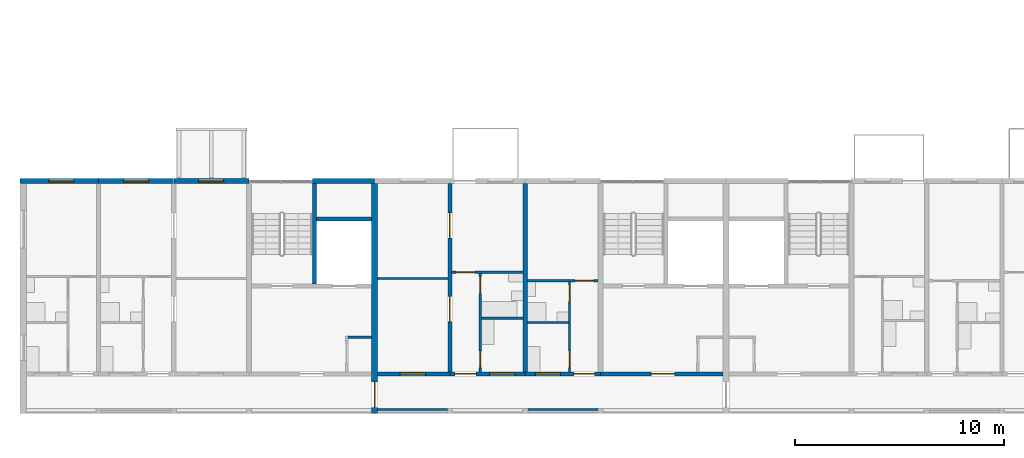
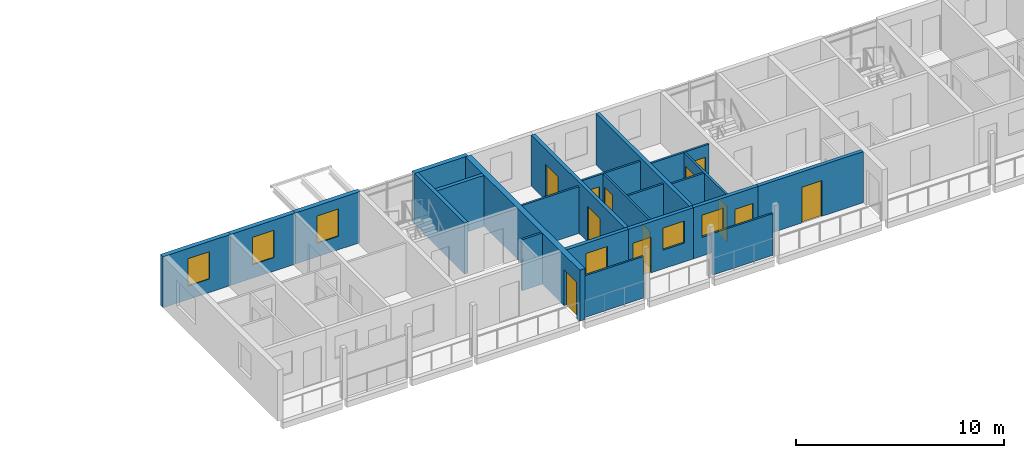
# One storey, part 37 of 87: 23 walls, 12 doors, 6 windows, 18 openings.
"""IFC4 building model written with IfcOpenShell, lengths in metres."""

from ifc_helpers import new_model, si_unit, direction, frame, frame_2d, origin, place, context, subcontext, project, spatial, rectangle, extrude, material, layer, layer_set, type_object, element, fill, save


model = new_model("IFC4")

# Units and contexts
model_context = context("Model", 3, precision=1e-05, world=origin(), true_north=direction((0.0, 1.0)))
body_context = subcontext(model_context, "Body", "Model", "MODEL_VIEW")
ifc_project = project(units=[si_unit("LENGTHUNIT", "METRE"), si_unit("AREAUNIT", "SQUARE_METRE"), si_unit("VOLUMEUNIT", "CUBIC_METRE"), si_unit("PLANEANGLEUNIT", "RADIAN"), si_unit("MASSUNIT", "GRAM", prefix="KILO")], contexts=[model_context])

# Site, building, storey
site_placement = place(None, origin())
site = spatial("IfcSite", under=ifc_project, at=site_placement, CompositionType="ELEMENT")
building_placement = place(site_placement, origin())
building = spatial("IfcBuilding", under=site, at=building_placement, Name="Ridgestep Commons", CompositionType="ELEMENT")
storey_placement = place(building_placement, frame((0.0, 0.0, 27.0)))
storey = spatial("IfcBuildingStorey", under=building, at=storey_placement, Name="L09", CompositionType="ELEMENT", Elevation=27.0)

# Wall, opening, door
ifc_material_1 = material(Name="Concrete C30/37", Category="concrete")
ifc_layer_1 = layer(ifc_material_1, 0.199951171875)
ifc_layer_set_1 = layer_set([ifc_layer_1], Name="Core south wall 200")
wall_type_1 = type_object("IfcWallType", Name="Core south wall 200", PredefinedType="SHEAR", material=ifc_layer_set_1)
wall_1_placement = place(storey_placement, frame((39.60009765625, 13.64990234375, 0.0), z_axis=(0.0, 0.0, 1.0), x_axis=(1.0, 0.0, 0.0)))
wall_1 = element("IfcWall", 1, at=wall_1_placement, inside=storey, type_object=wall_type_1, Name="Core south wall A2C L09", PredefinedType="SHEAR", context=body_context, shape_type="SweptSolid", body=[
    extrude(rectangle(XDim=5.849853515625, YDim=0.199951171875, at=frame_2d((2.9248046875, 0.0))), origin(), (0.0, 0.0, 1.0), 3.0),
])
opening_1_placement = place(wall_1_placement, frame((2.4375, 0.0, 0.0)))
opening_1 = element("IfcOpeningElement", 2, at=opening_1_placement, cuts=wall_1, Name="Opening A2C/09/1", PredefinedType="OPENING", context=body_context, shape_type="SweptSolid", body=[
    extrude(rectangle(XDim=1.10009765625, YDim=2.10009765625, at=frame_2d((0.550048828125, 1.050048828125))), frame((0.0, 0.10986328125, 0.0), z_axis=(0.0, -1.0, 0.0), x_axis=(1.0, 0.0, 0.0)), (0.0, 0.0, 1.0), 0.219970703125),
])
ifc_material_2 = material(Name="Steel fire door", Category="steel")
door_type_1 = type_object("IfcDoorType", Name="Lobby door 1100 x 2100 FD60", OperationType="NOTDEFINED", PredefinedType="DOOR", material=ifc_material_2)
door_1_placement = place(opening_1_placement, origin())
door_1 = element("IfcDoor", 3, at=door_1_placement, inside=storey, type_object=door_type_1, Name="Lobby door A2C/09/1", OperationType="SINGLE_SWING_LEFT", OverallHeight=2.10009765625, OverallWidth=1.10009765625, PredefinedType="DOOR", context=body_context, shape_type="SweptSolid", body=[
    extrude(rectangle(XDim=1.10009765625, YDim=2.10009765625, at=frame_2d((0.550048828125, 1.050048828125))), frame((0.0, 0.02490234375, 0.0), z_axis=(0.0, -1.0, 0.0), x_axis=(1.0, 0.0, 0.0)), (0.0, 0.0, 1.0), 0.050048828125),
])
fill(opening_1, door_1)

# Walls
ifc_material_3 = material(Name="Concrete C30/37", Category="concrete")
ifc_layer_2 = layer(ifc_material_3, 0.1201171875)
ifc_layer_set_2 = layer_set([ifc_layer_2], Name="Core wall 120")
wall_type_2 = type_object("IfcWallType", Name="Core wall 120", PredefinedType="SHEAR", material=ifc_layer_set_2)
wall_2_placement = place(storey_placement, frame((27.52001953125, 15.409912109375, 0.0), z_axis=(0.0, 0.0, 1.0), x_axis=(1.0, 0.0, 0.0)))
element("IfcWall", 4, at=wall_2_placement, inside=storey, type_object=wall_type_2, Name="Core riser n wall A1C L09", PredefinedType="SHEAR", context=body_context, shape_type="SweptSolid", body=[
    extrude(rectangle(XDim=1.1298828125, YDim=0.1201171875, at=frame_2d((0.56494140625, 0.0))), origin(), (0.0, 0.0, 1.0), 3.0),
])
ifc_material_4 = material(Name="Concrete C30/37", Category="concrete")
ifc_layer_3 = layer(ifc_material_4, 0.199951171875)
ifc_layer_set_3 = layer_set([ifc_layer_3], Name="Core wall 200")
wall_type_3 = type_object("IfcWallType", Name="Core wall 200", PredefinedType="SHEAR", material=ifc_layer_set_3)
wall_3_placement = place(storey_placement, frame((25.925048828125, 17.949951171875, 0.0), z_axis=(0.0, 0.0, 1.0), x_axis=(0.0, 1.0, 0.0)))
element("IfcWall", 5, at=wall_3_placement, inside=storey, type_object=wall_type_3, Name="Core stair wall A1C L09", PredefinedType="SHEAR", context=body_context, shape_type="SweptSolid", body=[
    extrude(rectangle(XDim=4.800048828125, YDim=0.199951171875, at=frame_2d((2.39990234375, 0.0))), origin(), (0.0, 0.0, 1.0), 3.0),
])
wall_4_placement = place(storey_placement, frame((26.02490234375, 21.050048828125, 0.0), z_axis=(0.0, 0.0, 1.0), x_axis=(1.0, 0.0, 0.0)))
element("IfcWall", 6, at=wall_4_placement, inside=storey, type_object=wall_type_3, Name="Core duct wall A1C L09", PredefinedType="SHEAR", context=body_context, shape_type="SweptSolid", body=[
    extrude(rectangle(XDim=2.625, YDim=0.199951171875, at=frame_2d((1.3125, 0.0))), origin(), (0.0, 0.0, 1.0), 3.0),
])

# Wall, openings, doors
ifc_material_5 = material(Name="Precast concrete C40/50", Category="concrete")
ifc_layer_4 = layer(ifc_material_5, 0.199951171875)
ifc_layer_set_4 = layer_set([ifc_layer_4], Name="Cross wall 200")
wall_type_4 = type_object("IfcWallType", Name="Cross wall 200", PredefinedType="SHEAR", material=ifc_layer_set_4)
wall_5_placement = place(storey_placement, frame((32.39990234375, 13.75, 0.0), z_axis=(0.0, 0.0, 1.0), x_axis=(0.0, 1.0, 0.0)))
wall_5 = element("IfcWall", 7, at=wall_5_placement, inside=storey, type_object=wall_type_4, Name="Cross wall A-09-0324", PredefinedType="SHEAR", context=body_context, shape_type="SweptSolid", body=[
    extrude(rectangle(XDim=9.0, YDim=0.199951171875, at=frame_2d((4.5, 0.0))), origin(), (0.0, 0.0, 1.0), 3.0),
])
opening_2_placement = place(wall_5_placement, frame((2.39990234375, 0.0, 0.0)))
opening_2 = element("IfcOpeningElement", 8, at=opening_2_placement, cuts=wall_5, Name="Opening A2-09a/5", PredefinedType="OPENING", context=body_context, shape_type="SweptSolid", body=[
    extrude(rectangle(XDim=1.199951171875, YDim=2.10009765625, at=frame_2d((0.60009765625, 1.050048828125))), frame((0.0, 0.10986328125, 0.0), z_axis=(0.0, -1.0, 0.0), x_axis=(1.0, 0.0, 0.0)), (0.0, 0.0, 1.0), 0.219970703125),
])
opening_3_placement = place(wall_5_placement, frame((6.39990234375, 0.0, 0.0)))
opening_3 = element("IfcOpeningElement", 9, at=opening_3_placement, cuts=wall_5, Name="Opening A2-09a/6", PredefinedType="OPENING", context=body_context, shape_type="SweptSolid", body=[
    extrude(rectangle(XDim=1.199951171875, YDim=2.10009765625, at=frame_2d((0.60009765625, 1.050048828125))), frame((0.0, 0.10986328125, 0.0), z_axis=(0.0, -1.0, 0.0), x_axis=(1.0, 0.0, 0.0)), (0.0, 0.0, 1.0), 0.219970703125),
])
ifc_material_6 = material(Name="Timber door leaf", Category="wood")
door_type_2 = type_object("IfcDoorType", Name="Double door 1200 x 2100", OperationType="DOUBLE_DOOR_SINGLE_SWING", PredefinedType="DOOR", material=ifc_material_6)
door_2_placement = place(opening_2_placement, origin())
door_2 = element("IfcDoor", 10, at=door_2_placement, inside=storey, type_object=door_type_2, Name="Double door A2-09a/5", OperationType="DOUBLE_DOOR_SINGLE_SWING", OverallHeight=2.10009765625, OverallWidth=1.199951171875, PredefinedType="DOOR", context=body_context, shape_type="SweptSolid", body=[
    extrude(rectangle(XDim=1.199951171875, YDim=2.10009765625, at=frame_2d((0.60009765625, 1.050048828125))), frame((0.0, 0.02490234375, 0.0), z_axis=(0.0, -1.0, 0.0), x_axis=(1.0, 0.0, 0.0)), (0.0, 0.0, 1.0), 0.050048828125),
])
fill(opening_2, door_2)
door_3_placement = place(opening_3_placement, origin())
door_3 = element("IfcDoor", 11, at=door_3_placement, inside=storey, type_object=door_type_2, Name="Double door A2-09a/6", OperationType="DOUBLE_DOOR_SINGLE_SWING", OverallHeight=2.10009765625, OverallWidth=1.199951171875, PredefinedType="DOOR", context=body_context, shape_type="SweptSolid", body=[
    extrude(rectangle(XDim=1.199951171875, YDim=2.10009765625, at=frame_2d((0.60009765625, 1.050048828125))), frame((0.0, 0.02490234375, 0.0), z_axis=(0.0, -1.0, 0.0), x_axis=(1.0, 0.0, 0.0)), (0.0, 0.0, 1.0), 0.050048828125),
])
fill(opening_3, door_3)

# Wall
wall_6_placement = place(storey_placement, frame((36.0, 13.75, 0.0), z_axis=(0.0, 0.0, 1.0), x_axis=(0.0, 1.0, 0.0)))
element("IfcWall", 12, at=wall_6_placement, inside=storey, type_object=wall_type_4, Name="Cross wall A-09-0360", PredefinedType="SHEAR", context=body_context, shape_type="SweptSolid", body=[
    extrude(rectangle(XDim=9.0, YDim=0.199951171875, at=frame_2d((4.5, 0.0))), origin(), (0.0, 0.0, 1.0), 3.0),
])

# Wall, opening, door
ifc_material_7 = material(Name="Precast concrete C40/50", Category="concrete")
ifc_layer_5 = layer(ifc_material_7, 0.300048828125)
ifc_layer_set_5 = layer_set([ifc_layer_5], Name="Division wall 300")
wall_type_5 = type_object("IfcWallType", Name="Division wall 300", PredefinedType="SHEAR", material=ifc_layer_set_5)
wall_7_placement = place(storey_placement, frame((28.800048828125, 11.75, 0.0), z_axis=(0.0, 0.0, 1.0), x_axis=(0.0, 1.0, 0.0)))
wall_7 = element("IfcWall", 13, at=wall_7_placement, inside=storey, type_object=wall_type_5, Name="Cross wall A-09-0288", PredefinedType="SHEAR", context=body_context, shape_type="SweptSolid", body=[
    extrude(rectangle(XDim=11.0, YDim=0.300048828125, at=frame_2d((5.5, 0.0))), origin(), (0.0, 0.0, 1.0), 3.0),
])
opening_4_placement = place(wall_7_placement, frame((0.300048828125, 0.0, 0.0)))
opening_4 = element("IfcOpeningElement", 14, at=opening_4_placement, cuts=wall_7, Name="Opening A/09/G0288", PredefinedType="OPENING", context=body_context, shape_type="SweptSolid", body=[
    extrude(rectangle(XDim=1.199951171875, YDim=2.10009765625, at=frame_2d((0.60009765625, 1.050048828125))), frame((0.0, 0.159912109375, 0.0), z_axis=(0.0, -1.0, 0.0), x_axis=(1.0, 0.0, 0.0)), (0.0, 0.0, 1.0), 0.320068359375),
])
ifc_material_8 = material(Name="Steel fire door", Category="steel")
door_type_3 = type_object("IfcDoorType", Name="Division fire door 1200 x 2100 EI 240", OperationType="DOUBLE_DOOR_SINGLE_SWING", PredefinedType="DOOR", material=ifc_material_8)
door_4_placement = place(opening_4_placement, origin())
door_4 = element("IfcDoor", 15, at=door_4_placement, inside=storey, type_object=door_type_3, Name="Division fire door A/09/G0288", OperationType="DOUBLE_DOOR_SINGLE_SWING", OverallHeight=2.10009765625, OverallWidth=1.199951171875, PredefinedType="DOOR", context=body_context, shape_type="SweptSolid", body=[
    extrude(rectangle(XDim=1.199951171875, YDim=2.10009765625, at=frame_2d((0.60009765625, 1.050048828125))), frame((0.0, 0.02490234375, 0.0), z_axis=(0.0, -1.0, 0.0), x_axis=(1.0, 0.0, 0.0)), (0.0, 0.0, 1.0), 0.050048828125),
])
fill(opening_4, door_4)

# Wall, opening, window
ifc_material_9 = material(Name="Precast concrete C40/50", Category="concrete")
ifc_layer_6 = layer(ifc_material_9, 0.25)
ifc_layer_set_6 = layer_set([ifc_layer_6], Name="North facade panel 250")
wall_type_6 = type_object("IfcWallType", Name="North facade panel 250", PredefinedType="SOLIDWALL", material=ifc_layer_set_6)
wall_8_placement = place(storey_placement, frame((11.85009765625, 22.875, 0.0), z_axis=(0.0, 0.0, 1.0), x_axis=(1.0, 0.0, 0.0)))
wall_8 = element("IfcWall", 16, at=wall_8_placement, inside=storey, type_object=wall_type_6, Name="North panel A1T1 L09", PredefinedType="SOLIDWALL", context=body_context, shape_type="SweptSolid", body=[
    extrude(rectangle(XDim=3.75, YDim=0.25, at=frame_2d((1.875, 0.0))), origin(), (0.0, 0.0, 1.0), 3.0),
])
opening_5_placement = place(wall_8_placement, frame((1.375, 0.0, 0.800048828125)))
opening_5 = element("IfcOpeningElement", 17, at=opening_5_placement, cuts=wall_8, Name="Opening W11", PredefinedType="OPENING", context=body_context, shape_type="SweptSolid", body=[
    extrude(rectangle(XDim=1.199951171875, YDim=1.60009765625, at=frame_2d((0.60009765625, 0.800048828125))), frame((0.0, 0.135009765625, 0.0), z_axis=(0.0, -1.0, 0.0), x_axis=(1.0, 0.0, 0.0)), (0.0, 0.0, 1.0), 0.27001953125),
])
ifc_material_10 = material(Name="Aluminium 6063-T6 and glass", Category="aluminium")
window_type_1 = type_object("IfcWindowType", Name="Flat window 1200 x 1600", PartitioningType="SINGLE_PANEL", PredefinedType="WINDOW", material=ifc_material_10)
window_1_placement = place(opening_5_placement, origin())
window_1 = element("IfcWindow", 18, at=window_1_placement, inside=storey, type_object=window_type_1, Name="Window A1-09a 2", OverallHeight=1.60009765625, OverallWidth=1.199951171875, PartitioningType="SINGLE_PANEL", PredefinedType="WINDOW", context=body_context, shape_type="SweptSolid", body=[
    extrude(rectangle(XDim=1.199951171875, YDim=1.60009765625, at=frame_2d((0.60009765625, 0.800048828125))), frame((0.0, -0.02490234375, 0.0), z_axis=(0.0, -1.0, 0.0), x_axis=(1.0, 0.0, 0.0)), (0.0, 0.0, 1.0), 0.06005859375),
])
fill(opening_5, window_1)

wall_9_placement = place(storey_placement, frame((15.60009765625, 22.875, 0.0), z_axis=(0.0, 0.0, 1.0), x_axis=(1.0, 0.0, 0.0)))
wall_9 = element("IfcWall", 19, at=wall_9_placement, inside=storey, type_object=wall_type_6, Name="North panel A1T2 L09", PredefinedType="SOLIDWALL", context=body_context, shape_type="SweptSolid", body=[
    extrude(rectangle(XDim=3.599853515625, YDim=0.25, at=frame_2d((1.7998046875, 0.0))), origin(), (0.0, 0.0, 1.0), 3.0),
])
opening_6_placement = place(wall_9_placement, frame((1.199951171875, 0.0, 0.800048828125)))
opening_6 = element("IfcOpeningElement", 20, at=opening_6_placement, cuts=wall_9, Name="Opening W11", PredefinedType="OPENING", context=body_context, shape_type="SweptSolid", body=[
    extrude(rectangle(XDim=1.199951171875, YDim=1.60009765625, at=frame_2d((0.60009765625, 0.800048828125))), frame((0.0, 0.135009765625, 0.0), z_axis=(0.0, -1.0, 0.0), x_axis=(1.0, 0.0, 0.0)), (0.0, 0.0, 1.0), 0.27001953125),
])
window_2_placement = place(opening_6_placement, origin())
window_2 = element("IfcWindow", 21, at=window_2_placement, inside=storey, type_object=window_type_1, Name="Window A1-09b 4", OverallHeight=1.60009765625, OverallWidth=1.199951171875, PartitioningType="SINGLE_PANEL", PredefinedType="WINDOW", context=body_context, shape_type="SweptSolid", body=[
    extrude(rectangle(XDim=1.199951171875, YDim=1.60009765625, at=frame_2d((0.60009765625, 0.800048828125))), frame((0.0, -0.02490234375, 0.0), z_axis=(0.0, -1.0, 0.0), x_axis=(1.0, 0.0, 0.0)), (0.0, 0.0, 1.0), 0.06005859375),
])
fill(opening_6, window_2)

wall_10_placement = place(storey_placement, frame((19.199951171875, 22.875, 0.0), z_axis=(0.0, 0.0, 1.0), x_axis=(1.0, 0.0, 0.0)))
wall_10 = element("IfcWall", 22, at=wall_10_placement, inside=storey, type_object=wall_type_6, Name="North panel A1T3 L09", PredefinedType="SOLIDWALL", context=body_context, shape_type="SweptSolid", body=[
    extrude(rectangle(XDim=3.60009765625, YDim=0.25, at=frame_2d((1.800048828125, 0.0))), origin(), (0.0, 0.0, 1.0), 3.0),
])
opening_7_placement = place(wall_10_placement, frame((1.1875, 0.0, 0.800048828125)))
opening_7 = element("IfcOpeningElement", 23, at=opening_7_placement, cuts=wall_10, Name="Opening W11", PredefinedType="OPENING", context=body_context, shape_type="SweptSolid", body=[
    extrude(rectangle(XDim=1.199951171875, YDim=1.60009765625, at=frame_2d((0.60009765625, 0.800048828125))), frame((0.0, 0.135009765625, 0.0), z_axis=(0.0, -1.0, 0.0), x_axis=(1.0, 0.0, 0.0)), (0.0, 0.0, 1.0), 0.27001953125),
])
window_3_placement = place(opening_7_placement, origin())
window_3 = element("IfcWindow", 24, at=window_3_placement, inside=storey, type_object=window_type_1, Name="Window A1-09b 2", OverallHeight=1.60009765625, OverallWidth=1.199951171875, PartitioningType="SINGLE_PANEL", PredefinedType="WINDOW", context=body_context, shape_type="SweptSolid", body=[
    extrude(rectangle(XDim=1.199951171875, YDim=1.60009765625, at=frame_2d((0.60009765625, 0.800048828125))), frame((0.0, -0.02490234375, 0.0), z_axis=(0.0, -1.0, 0.0), x_axis=(1.0, 0.0, 0.0)), (0.0, 0.0, 1.0), 0.06005859375),
])
fill(opening_7, window_3)

# Wall
wall_11_placement = place(storey_placement, frame((25.824951171875, 22.875, 0.0), z_axis=(0.0, 0.0, 1.0), x_axis=(1.0, 0.0, 0.0)))
element("IfcWall", 25, at=wall_11_placement, inside=storey, type_object=wall_type_6, Name="North panel A1C L09", PredefinedType="SOLIDWALL", context=body_context, shape_type="SweptSolid", body=[
    extrude(rectangle(XDim=2.97509765625, YDim=0.25, at=frame_2d((1.487548828125, 0.0))), origin(), (0.0, 0.0, 1.0), 3.0),
])

# Wall, openings, doors
ifc_material_11 = material(Name="Common brick 110 mm", Category="masonry")
ifc_layer_7 = layer(ifc_material_11, 0.110107421875)
ifc_layer_set_7 = layer_set([ifc_layer_7], Name="Partition 110")
wall_type_7 = type_object("IfcWallType", Name="Partition 110", PredefinedType="PARTITIONING", material=ifc_layer_set_7)
wall_12_placement = place(storey_placement, frame((33.85498046875, 13.75, 0.0), z_axis=(0.0, 0.0, 1.0), x_axis=(0.0, 1.0, 0.0)))
wall_12 = element("IfcWall", 26, at=wall_12_placement, inside=storey, type_object=wall_type_7, Name="Partition A2-09a", PredefinedType="PARTITIONING", context=body_context, shape_type="SweptSolid", body=[
    extrude(rectangle(XDim=4.699951171875, YDim=0.110107421875, at=frame_2d((2.35009765625, 0.0))), origin(), (0.0, 0.0, 1.0), 2.800048828125),
])
opening_8_placement = place(wall_12_placement, frame((0.199951171875, 0.0, 0.0)))
opening_8 = element("IfcOpeningElement", 27, at=opening_8_placement, cuts=wall_12, Name="Opening A2-09a/2", PredefinedType="OPENING", context=body_context, shape_type="SweptSolid", body=[
    extrude(rectangle(XDim=0.800048828125, YDim=2.10009765625, at=frame_2d((0.39990234375, 1.050048828125))), frame((0.0, 0.06494140625, 0.0), z_axis=(0.0, -1.0, 0.0), x_axis=(1.0, 0.0, 0.0)), (0.0, 0.0, 1.0), 0.130126953125),
])
opening_9_placement = place(wall_12_placement, frame((3.75, 0.0, 0.0)))
opening_9 = element("IfcOpeningElement", 28, at=opening_9_placement, cuts=wall_12, Name="Opening A2-09a/3", PredefinedType="OPENING", context=body_context, shape_type="SweptSolid", body=[
    extrude(rectangle(XDim=0.800048828125, YDim=2.10009765625, at=frame_2d((0.39990234375, 1.050048828125))), frame((0.0, 0.06494140625, 0.0), z_axis=(0.0, -1.0, 0.0), x_axis=(1.0, 0.0, 0.0)), (0.0, 0.0, 1.0), 0.130126953125),
])
ifc_material_12 = material(Name="Timber door leaf", Category="wood")
door_type_4 = type_object("IfcDoorType", Name="Internal door 800 x 2100", OperationType="NOTDEFINED", PredefinedType="DOOR", material=ifc_material_12)
door_5_placement = place(opening_8_placement, origin())
door_5 = element("IfcDoor", 29, at=door_5_placement, inside=storey, type_object=door_type_4, Name="Internal door A2-09a/2", OperationType="SINGLE_SWING_RIGHT", OverallHeight=2.10009765625, OverallWidth=0.800048828125, PredefinedType="DOOR", context=body_context, shape_type="SweptSolid", body=[
    extrude(rectangle(XDim=0.800048828125, YDim=2.10009765625, at=frame_2d((0.39990234375, 1.050048828125))), frame((0.0, 0.02490234375, 0.0), z_axis=(0.0, -1.0, 0.0), x_axis=(1.0, 0.0, 0.0)), (0.0, 0.0, 1.0), 0.050048828125),
])
fill(opening_8, door_5)
door_6_placement = place(opening_9_placement, origin())
door_6 = element("IfcDoor", 30, at=door_6_placement, inside=storey, type_object=door_type_4, Name="Internal door A2-09a/3", OperationType="SINGLE_SWING_LEFT", OverallHeight=2.10009765625, OverallWidth=0.800048828125, PredefinedType="DOOR", context=body_context, shape_type="SweptSolid", body=[
    extrude(rectangle(XDim=0.800048828125, YDim=2.10009765625, at=frame_2d((0.39990234375, 1.050048828125))), frame((0.0, 0.02490234375, 0.0), z_axis=(0.0, -1.0, 0.0), x_axis=(1.0, 0.0, 0.0)), (0.0, 0.0, 1.0), 0.050048828125),
])
fill(opening_9, door_6)

# Wall
wall_13_placement = place(storey_placement, frame((33.909912109375, 16.304931640625, 0.0), z_axis=(0.0, 0.0, 1.0), x_axis=(1.0, 0.0, 0.0)))
element("IfcWall", 31, at=wall_13_placement, inside=storey, type_object=wall_type_7, Name="Partition A2-09a", PredefinedType="PARTITIONING", context=body_context, shape_type="SweptSolid", body=[
    extrude(rectangle(XDim=1.989990234375, YDim=0.110107421875, at=frame_2d((0.9951171875, 0.0))), origin(), (0.0, 0.0, 1.0), 2.800048828125),
])

# Wall, opening, door
wall_14_placement = place(storey_placement, frame((32.5, 18.5048828125, 0.0), z_axis=(0.0, 0.0, 1.0), x_axis=(1.0, 0.0, 0.0)))
wall_14 = element("IfcWall", 32, at=wall_14_placement, inside=storey, type_object=wall_type_7, Name="Partition A2-09a", PredefinedType="PARTITIONING", context=body_context, shape_type="SweptSolid", body=[
    extrude(rectangle(XDim=3.39990234375, YDim=0.110107421875, at=frame_2d((1.699951171875, 0.0))), origin(), (0.0, 0.0, 1.0), 2.800048828125),
])
opening_10_placement = place(wall_14_placement, frame((0.199951171875, 0.0, 0.0)))
opening_10 = element("IfcOpeningElement", 33, at=opening_10_placement, cuts=wall_14, Name="Opening A2-09a/4", PredefinedType="OPENING", context=body_context, shape_type="SweptSolid", body=[
    extrude(rectangle(XDim=0.89990234375, YDim=2.10009765625, at=frame_2d((0.449951171875, 1.050048828125))), frame((0.0, 0.06494140625, 0.0), z_axis=(0.0, -1.0, 0.0), x_axis=(1.0, 0.0, 0.0)), (0.0, 0.0, 1.0), 0.130126953125),
])
ifc_material_13 = material(Name="Timber door leaf", Category="wood")
door_type_5 = type_object("IfcDoorType", Name="Internal door 900 x 2100", OperationType="NOTDEFINED", PredefinedType="DOOR", material=ifc_material_13)
door_7_placement = place(opening_10_placement, origin())
door_7 = element("IfcDoor", 34, at=door_7_placement, inside=storey, type_object=door_type_5, Name="Internal door A2-09a/4", OperationType="SINGLE_SWING_LEFT", OverallHeight=2.10009765625, OverallWidth=0.89990234375, PredefinedType="DOOR", context=body_context, shape_type="SweptSolid", body=[
    extrude(rectangle(XDim=0.89990234375, YDim=2.10009765625, at=frame_2d((0.449951171875, 1.050048828125))), frame((0.0, 0.02490234375, 0.0), z_axis=(0.0, -1.0, 0.0), x_axis=(1.0, 0.0, 0.0)), (0.0, 0.0, 1.0), 0.050048828125),
])
fill(opening_10, door_7)

# Walls
wall_15_placement = place(storey_placement, frame((28.949951171875, 18.205078125, 0.0), z_axis=(0.0, 0.0, 1.0), x_axis=(1.0, 0.0, 0.0)))
element("IfcWall", 35, at=wall_15_placement, inside=storey, type_object=wall_type_7, Name="Partition A2-09a", PredefinedType="PARTITIONING", context=body_context, shape_type="SweptSolid", body=[
    extrude(rectangle(XDim=3.35009765625, YDim=0.110107421875, at=frame_2d((1.675048828125, 0.0))), origin(), (0.0, 0.0, 1.0), 2.75),
])
wall_16_placement = place(storey_placement, frame((36.10009765625, 16.10498046875, 0.0), z_axis=(0.0, 0.0, 1.0), x_axis=(1.0, 0.0, 0.0)))
element("IfcWall", 36, at=wall_16_placement, inside=storey, type_object=wall_type_7, Name="Partition A2-09b", PredefinedType="PARTITIONING", context=body_context, shape_type="SweptSolid", body=[
    extrude(rectangle(XDim=1.96484375, YDim=0.110107421875, at=frame_2d((0.982421875, 0.0))), origin(), (0.0, 0.0, 1.0), 2.800048828125),
])

# Wall, openings, doors
wall_17_placement = place(storey_placement, frame((38.1201171875, 13.75, 0.0), z_axis=(0.0, 0.0, 1.0), x_axis=(0.0, 1.0, 0.0)))
wall_17 = element("IfcWall", 37, at=wall_17_placement, inside=storey, type_object=wall_type_7, Name="Partition A2-09b", PredefinedType="PARTITIONING", context=body_context, shape_type="SweptSolid", body=[
    extrude(rectangle(XDim=4.300048828125, YDim=0.110107421875, at=frame_2d((2.14990234375, 0.0))), origin(), (0.0, 0.0, 1.0), 2.800048828125),
])
opening_11_placement = place(wall_17_placement, frame((0.199951171875, 0.0, 0.0)))
opening_11 = element("IfcOpeningElement", 38, at=opening_11_placement, cuts=wall_17, Name="Opening A2-09b/2", PredefinedType="OPENING", context=body_context, shape_type="SweptSolid", body=[
    extrude(rectangle(XDim=0.800048828125, YDim=2.10009765625, at=frame_2d((0.39990234375, 1.050048828125))), frame((0.0, 0.06494140625, 0.0), z_axis=(0.0, -1.0, 0.0), x_axis=(1.0, 0.0, 0.0)), (0.0, 0.0, 1.0), 0.130126953125),
])
opening_12_placement = place(wall_17_placement, frame((3.35009765625, 0.0, 0.0)))
opening_12 = element("IfcOpeningElement", 39, at=opening_12_placement, cuts=wall_17, Name="Opening A2-09b/3", PredefinedType="OPENING", context=body_context, shape_type="SweptSolid", body=[
    extrude(rectangle(XDim=0.800048828125, YDim=2.10009765625, at=frame_2d((0.39990234375, 1.050048828125))), frame((0.0, 0.06494140625, 0.0), z_axis=(0.0, -1.0, 0.0), x_axis=(1.0, 0.0, 0.0)), (0.0, 0.0, 1.0), 0.130126953125),
])
door_8_placement = place(opening_11_placement, origin())
door_8 = element("IfcDoor", 40, at=door_8_placement, inside=storey, type_object=door_type_4, Name="Internal door A2-09b/2", OperationType="SINGLE_SWING_LEFT", OverallHeight=2.10009765625, OverallWidth=0.800048828125, PredefinedType="DOOR", context=body_context, shape_type="SweptSolid", body=[
    extrude(rectangle(XDim=0.800048828125, YDim=2.10009765625, at=frame_2d((0.39990234375, 1.050048828125))), frame((0.0, 0.02490234375, 0.0), z_axis=(0.0, -1.0, 0.0), x_axis=(1.0, 0.0, 0.0)), (0.0, 0.0, 1.0), 0.050048828125),
])
fill(opening_11, door_8)
door_9_placement = place(opening_12_placement, origin())
door_9 = element("IfcDoor", 41, at=door_9_placement, inside=storey, type_object=door_type_4, Name="Internal door A2-09b/3", OperationType="SINGLE_SWING_RIGHT", OverallHeight=2.10009765625, OverallWidth=0.800048828125, PredefinedType="DOOR", context=body_context, shape_type="SweptSolid", body=[
    extrude(rectangle(XDim=0.800048828125, YDim=2.10009765625, at=frame_2d((0.39990234375, 1.050048828125))), frame((0.0, 0.02490234375, 0.0), z_axis=(0.0, -1.0, 0.0), x_axis=(1.0, 0.0, 0.0)), (0.0, 0.0, 1.0), 0.050048828125),
])
fill(opening_12, door_9)

# Wall, opening, door
wall_18_placement = place(storey_placement, frame((36.10009765625, 18.10498046875, 0.0), z_axis=(0.0, 0.0, 1.0), x_axis=(1.0, 0.0, 0.0)))
wall_18 = element("IfcWall", 42, at=wall_18_placement, inside=storey, type_object=wall_type_7, Name="Partition A2-09b", PredefinedType="PARTITIONING", context=body_context, shape_type="SweptSolid", body=[
    extrude(rectangle(XDim=3.375, YDim=0.110107421875, at=frame_2d((1.6875, 0.0))), origin(), (0.0, 0.0, 1.0), 2.800048828125),
])
opening_13_placement = place(wall_18_placement, frame((2.27490234375, 0.0, 0.0)))
opening_13 = element("IfcOpeningElement", 43, at=opening_13_placement, cuts=wall_18, Name="Opening A2-09b/4", PredefinedType="OPENING", context=body_context, shape_type="SweptSolid", body=[
    extrude(rectangle(XDim=0.89990234375, YDim=2.10009765625, at=frame_2d((0.449951171875, 1.050048828125))), frame((0.0, 0.06494140625, 0.0), z_axis=(0.0, -1.0, 0.0), x_axis=(1.0, 0.0, 0.0)), (0.0, 0.0, 1.0), 0.130126953125),
])
door_10_placement = place(opening_13_placement, origin())
door_10 = element("IfcDoor", 44, at=door_10_placement, inside=storey, type_object=door_type_5, Name="Internal door A2-09b/4", OperationType="SINGLE_SWING_LEFT", OverallHeight=2.10009765625, OverallWidth=0.89990234375, PredefinedType="DOOR", context=body_context, shape_type="SweptSolid", body=[
    extrude(rectangle(XDim=0.89990234375, YDim=2.10009765625, at=frame_2d((0.449951171875, 1.050048828125))), frame((0.0, 0.02490234375, 0.0), z_axis=(0.0, -1.0, 0.0), x_axis=(1.0, 0.0, 0.0)), (0.0, 0.0, 1.0), 0.050048828125),
])
fill(opening_13, door_10)

# Walls
ifc_material_14 = material(Name="Precast concrete C30/37", Category="concrete")
ifc_layer_8 = layer(ifc_material_14, 0.10009765625)
ifc_layer_set_8 = layer_set([ifc_layer_8], Name="Perforated gallery screen 3325 x 2450 x 100")
wall_type_8 = type_object("IfcWallType", Name="Perforated gallery screen 3325 x 2450 x 100", PredefinedType="SOLIDWALL", material=ifc_layer_set_8)
wall_19_placement = place(storey_placement, frame((28.949951171875, 11.949951171875, 0.0), z_axis=(0.0, 0.0, 1.0), x_axis=(1.0, 0.0, 0.0)))
element("IfcWall", 45, at=wall_19_placement, inside=storey, type_object=wall_type_8, Name="Gallery screen A2T1 09", PredefinedType="SOLIDWALL", context=body_context, shape_type="SweptSolid", body=[
    extrude(rectangle(XDim=3.324951171875, YDim=0.10009765625, at=frame_2d((1.66259765625, 0.0))), origin(), (0.0, 0.0, 1.0), 2.449951171875),
])
ifc_material_15 = material(Name="Precast concrete C30/37", Category="concrete")
ifc_layer_9 = layer(ifc_material_15, 0.10009765625)
ifc_layer_set_9 = layer_set([ifc_layer_9], Name="Perforated gallery screen 3350 x 2450 x 100")
wall_type_9 = type_object("IfcWallType", Name="Perforated gallery screen 3350 x 2450 x 100", PredefinedType="SOLIDWALL", material=ifc_layer_set_9)
wall_20_placement = place(storey_placement, frame((36.125, 11.949951171875, 0.0), z_axis=(0.0, 0.0, 1.0), x_axis=(1.0, 0.0, 0.0)))
element("IfcWall", 46, at=wall_20_placement, inside=storey, type_object=wall_type_9, Name="Gallery screen A2T3 09", PredefinedType="SOLIDWALL", context=body_context, shape_type="SweptSolid", body=[
    extrude(rectangle(XDim=3.35009765625, YDim=0.10009765625, at=frame_2d((1.675048828125, 0.0))), origin(), (0.0, 0.0, 1.0), 2.449951171875),
])

# Wall, opening, window
ifc_material_16 = material(Name="Precast concrete C40/50", Category="concrete")
ifc_layer_10 = layer(ifc_material_16, 0.199951171875)
ifc_layer_set_10 = layer_set([ifc_layer_10], Name="South facade panel 200")
wall_type_10 = type_object("IfcWallType", Name="South facade panel 200", PredefinedType="SOLIDWALL", material=ifc_layer_set_10)
wall_21_placement = place(storey_placement, frame((28.949951171875, 13.64990234375, 0.0), z_axis=(0.0, 0.0, 1.0), x_axis=(1.0, 0.0, 0.0)))
wall_21 = element("IfcWall", 47, at=wall_21_placement, inside=storey, type_object=wall_type_10, Name="South panel A2T1 L09", PredefinedType="SOLIDWALL", context=body_context, shape_type="SweptSolid", body=[
    extrude(rectangle(XDim=3.449951171875, YDim=0.199951171875, at=frame_2d((1.72509765625, 0.0))), origin(), (0.0, 0.0, 1.0), 3.0),
])
opening_14_placement = place(wall_21_placement, frame((1.074951171875, 0.0, 0.800048828125)))
opening_14 = element("IfcOpeningElement", 48, at=opening_14_placement, cuts=wall_21, Name="Opening W11", PredefinedType="OPENING", context=body_context, shape_type="SweptSolid", body=[
    extrude(rectangle(XDim=1.199951171875, YDim=1.60009765625, at=frame_2d((0.60009765625, 0.800048828125))), frame((0.0, 0.10986328125, 0.0), z_axis=(0.0, -1.0, 0.0), x_axis=(1.0, 0.0, 0.0)), (0.0, 0.0, 1.0), 0.219970703125),
])
window_4_placement = place(opening_14_placement, origin())
window_4 = element("IfcWindow", 49, at=window_4_placement, inside=storey, type_object=window_type_1, Name="Window A2-09a 1", OverallHeight=1.60009765625, OverallWidth=1.199951171875, PartitioningType="SINGLE_PANEL", PredefinedType="WINDOW", context=body_context, shape_type="SweptSolid", body=[
    extrude(rectangle(XDim=1.199951171875, YDim=1.60009765625, at=frame_2d((0.60009765625, 0.800048828125))), frame((0.0, 0.06005859375, 0.0), z_axis=(0.0, -1.0, 0.0), x_axis=(1.0, 0.0, 0.0)), (0.0, 0.0, 1.0), 0.06005859375),
])
fill(opening_14, window_4)

# Wall, openings, door, window
wall_22_placement = place(storey_placement, frame((32.39990234375, 13.64990234375, 0.0), z_axis=(0.0, 0.0, 1.0), x_axis=(1.0, 0.0, 0.0)))
wall_22 = element("IfcWall", 50, at=wall_22_placement, inside=storey, type_object=wall_type_10, Name="South panel A2T2 L09", PredefinedType="SOLIDWALL", context=body_context, shape_type="SweptSolid", body=[
    extrude(rectangle(XDim=3.60009765625, YDim=0.199951171875, at=frame_2d((1.800048828125, 0.0))), origin(), (0.0, 0.0, 1.0), 3.0),
])
opening_15_placement = place(wall_22_placement, frame((1.905029296875, 0.0, 1.10009765625)))
opening_15 = element("IfcOpeningElement", 51, at=opening_15_placement, cuts=wall_22, Name="Opening W08", PredefinedType="OPENING", context=body_context, shape_type="SweptSolid", body=[
    extrude(rectangle(XDim=1.199951171875, YDim=1.300048828125, at=frame_2d((0.60009765625, 0.64990234375))), frame((0.0, 0.10986328125, 0.0), z_axis=(0.0, -1.0, 0.0), x_axis=(1.0, 0.0, 0.0)), (0.0, 0.0, 1.0), 0.219970703125),
])
opening_16_placement = place(wall_22_placement, frame((0.25, 0.0, 0.0)))
opening_16 = element("IfcOpeningElement", 52, at=opening_16_placement, cuts=wall_22, Name="Opening A2-09a/1", PredefinedType="OPENING", context=body_context, shape_type="SweptSolid", body=[
    extrude(rectangle(XDim=1.0, YDim=2.10009765625, at=frame_2d((0.5, 1.050048828125))), frame((0.0, 0.10986328125, 0.0), z_axis=(0.0, -1.0, 0.0), x_axis=(1.0, 0.0, 0.0)), (0.0, 0.0, 1.0), 0.219970703125),
])
ifc_material_17 = material(Name="Timber door leaf", Category="wood")
door_type_6 = type_object("IfcDoorType", Name="Flat entrance door 1000 x 2100 FD30S", OperationType="NOTDEFINED", PredefinedType="DOOR", material=ifc_material_17)
door_11_placement = place(opening_16_placement, origin())
door_11 = element("IfcDoor", 53, at=door_11_placement, inside=storey, type_object=door_type_6, Name="Flat entrance door A2-09a/1", OperationType="SINGLE_SWING_LEFT", OverallHeight=2.10009765625, OverallWidth=1.0, PredefinedType="DOOR", context=body_context, shape_type="SweptSolid", body=[
    extrude(rectangle(XDim=1.0, YDim=2.10009765625, at=frame_2d((0.5, 1.050048828125))), frame((0.0, 0.02490234375, 0.0), z_axis=(0.0, -1.0, 0.0), x_axis=(1.0, 0.0, 0.0)), (0.0, 0.0, 1.0), 0.050048828125),
])
fill(opening_16, door_11)
ifc_material_18 = material(Name="Aluminium 6063-T6 and glass", Category="aluminium")
window_type_2 = type_object("IfcWindowType", Name="Flat window 1200 x 1300", PartitioningType="SINGLE_PANEL", PredefinedType="WINDOW", material=ifc_material_18)
window_5_placement = place(opening_15_placement, origin())
window_5 = element("IfcWindow", 54, at=window_5_placement, inside=storey, type_object=window_type_2, Name="Window A2-09a 3", OverallHeight=1.300048828125, OverallWidth=1.199951171875, PartitioningType="SINGLE_PANEL", PredefinedType="WINDOW", context=body_context, shape_type="SweptSolid", body=[
    extrude(rectangle(XDim=1.199951171875, YDim=1.300048828125, at=frame_2d((0.60009765625, 0.64990234375))), frame((0.0, 0.06005859375, 0.0), z_axis=(0.0, -1.0, 0.0), x_axis=(1.0, 0.0, 0.0)), (0.0, 0.0, 1.0), 0.06005859375),
])
fill(opening_15, window_5)

wall_23_placement = place(storey_placement, frame((36.0, 13.64990234375, 0.0), z_axis=(0.0, 0.0, 1.0), x_axis=(1.0, 0.0, 0.0)))
wall_23 = element("IfcWall", 55, at=wall_23_placement, inside=storey, type_object=wall_type_10, Name="South panel A2T3 L09", PredefinedType="SOLIDWALL", context=body_context, shape_type="SweptSolid", body=[
    extrude(rectangle(XDim=3.60009765625, YDim=0.199951171875, at=frame_2d((1.800048828125, 0.0))), origin(), (0.0, 0.0, 1.0), 3.0),
])
opening_17_placement = place(wall_23_placement, frame((0.482421875, 0.0, 1.10009765625)))
opening_17 = element("IfcOpeningElement", 56, at=opening_17_placement, cuts=wall_23, Name="Opening W08", PredefinedType="OPENING", context=body_context, shape_type="SweptSolid", body=[
    extrude(rectangle(XDim=1.199951171875, YDim=1.300048828125, at=frame_2d((0.60009765625, 0.64990234375))), frame((0.0, 0.10986328125, 0.0), z_axis=(0.0, -1.0, 0.0), x_axis=(1.0, 0.0, 0.0)), (0.0, 0.0, 1.0), 0.219970703125),
])
opening_18_placement = place(wall_23_placement, frame((2.324951171875, 0.0, 0.0)))
opening_18 = element("IfcOpeningElement", 57, at=opening_18_placement, cuts=wall_23, Name="Opening A2-09b/1", PredefinedType="OPENING", context=body_context, shape_type="SweptSolid", body=[
    extrude(rectangle(XDim=1.0, YDim=2.10009765625, at=frame_2d((0.5, 1.050048828125))), frame((0.0, 0.10986328125, 0.0), z_axis=(0.0, -1.0, 0.0), x_axis=(1.0, 0.0, 0.0)), (0.0, 0.0, 1.0), 0.219970703125),
])
door_12_placement = place(opening_18_placement, origin())
door_12 = element("IfcDoor", 58, at=door_12_placement, inside=storey, type_object=door_type_6, Name="Flat entrance door A2-09b/1", OperationType="SINGLE_SWING_RIGHT", OverallHeight=2.10009765625, OverallWidth=1.0, PredefinedType="DOOR", context=body_context, shape_type="SweptSolid", body=[
    extrude(rectangle(XDim=1.0, YDim=2.10009765625, at=frame_2d((0.5, 1.050048828125))), frame((0.0, 0.02490234375, 0.0), z_axis=(0.0, -1.0, 0.0), x_axis=(1.0, 0.0, 0.0)), (0.0, 0.0, 1.0), 0.050048828125),
])
fill(opening_18, door_12)
window_6_placement = place(opening_17_placement, origin())
window_6 = element("IfcWindow", 59, at=window_6_placement, inside=storey, type_object=window_type_2, Name="Window A2-09b 1", OverallHeight=1.300048828125, OverallWidth=1.199951171875, PartitioningType="SINGLE_PANEL", PredefinedType="WINDOW", context=body_context, shape_type="SweptSolid", body=[
    extrude(rectangle(XDim=1.199951171875, YDim=1.300048828125, at=frame_2d((0.60009765625, 0.64990234375))), frame((0.0, 0.06005859375, 0.0), z_axis=(0.0, -1.0, 0.0), x_axis=(1.0, 0.0, 0.0)), (0.0, 0.0, 1.0), 0.06005859375),
])
fill(opening_17, window_6)

save(model, "model.ifc")
